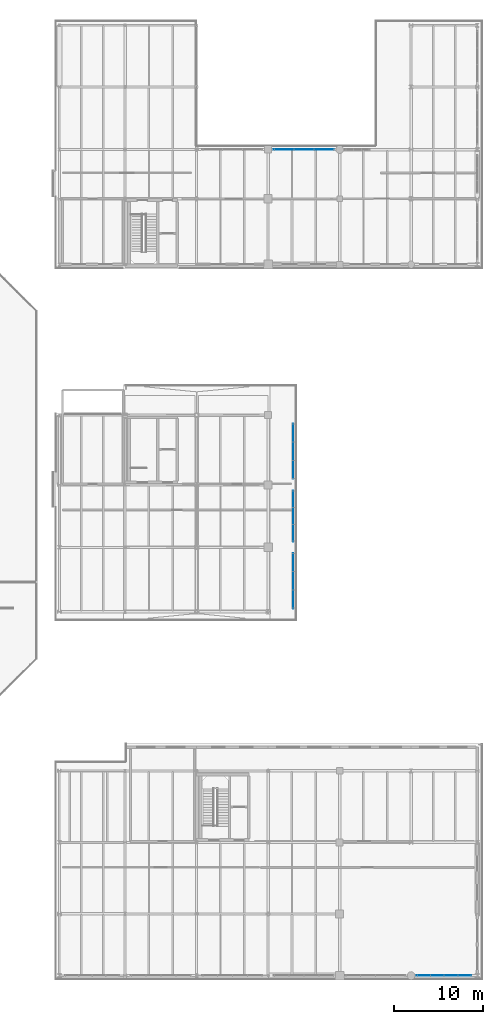
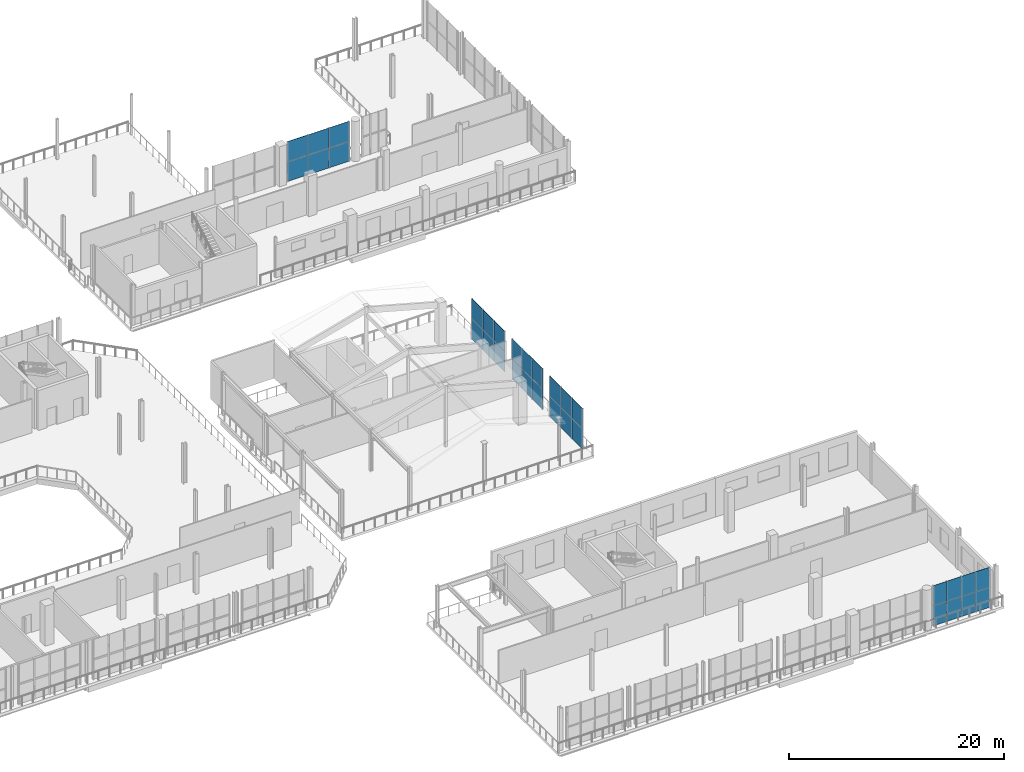
# One storey, part 46 of 70: 32 plates, 5 elements without a shape of their own.
"""IFC4 building model written with IfcOpenShell, lengths in metres."""

from ifc_helpers import new_model, si_unit, direction, frame, origin, origin_2d, place, context, subcontext, project, spatial, rectangle, extrude, material, layer, layer_set, type_object, element, aggregate, save


model = new_model("IFC4")

# Units and contexts
model_context = context("Model", 3, precision=1e-05, world=origin(), true_north=direction((0.0, 1.0)))
body_context = subcontext(model_context, "Body", "Model", "MODEL_VIEW")
ifc_project = project(units=[si_unit("LENGTHUNIT", "METRE"), si_unit("AREAUNIT", "SQUARE_METRE"), si_unit("VOLUMEUNIT", "CUBIC_METRE"), si_unit("PLANEANGLEUNIT", "RADIAN"), si_unit("MASSUNIT", "GRAM", prefix="KILO")], contexts=[model_context])

# Site, building, storey
site_placement = place(None, origin())
site = spatial("IfcSite", under=ifc_project, at=site_placement, CompositionType="ELEMENT")
building_placement = place(site_placement, origin())
building = spatial("IfcBuilding", under=site, at=building_placement, Name="Brisemont Oceanarium", CompositionType="ELEMENT")
storey_placement = place(building_placement, frame((0.0, 0.0, 10.199951171875)))
storey = spatial("IfcBuildingStorey", under=building, at=storey_placement, Name="L02", CompositionType="ELEMENT", Elevation=10.199951171875)

# Curtain wall, plates
ifc_material_1 = material(Name="Anodized Extruded Aluminum 6063-T6", Category="aluminium")
curtain_wall_type_1 = type_object("IfcCurtainWallType", Name="CW-GAL-61X43", PredefinedType="NOTDEFINED", material=ifc_material_1)
curtain_wall_1_placement = place(storey_placement, origin())
curtain_wall_1 = element("IfcCurtainWall", 1, at=curtain_wall_1_placement, inside=storey, type_object=curtain_wall_type_1, Name="CW-13 curtain wall CW-V5E-MC-L02-01", PredefinedType="NOTDEFINED")
ifc_material_2 = material(Name="Ceramic-Fritted Spandrel Glass", Category="glass")
ifc_layer_1 = layer(ifc_material_2, 0.030029296875)
ifc_layer_set_1 = layer_set([ifc_layer_1], Name="Ceramic-Fritted Spandrel Glass")
plate_type_1 = type_object("IfcPlateType", Name="PLT-CWP-S3", PredefinedType="CURTAIN_PANEL", material=ifc_layer_set_1)
plate_1_placement = place(storey_placement, frame((138.800048828125, 43.183349609375, 0.00146484375), z_axis=(0.0, 0.0, 1.0), x_axis=(0.0, 1.0, 0.0)))
plate_1 = element("IfcPlate", 2, at=plate_1_placement, type_object=plate_type_1, Name="CW-V5E-MC-L02-01 panel 1.1", PredefinedType="CURTAIN_PANEL", context=body_context, shape_type="SweptSolid", body=[
    extrude(rectangle(XDim=2.063720703125, YDim=0.030029296875, at=origin_2d()), origin(), (0.0, 0.0, 1.0), 2.297119140625),
])
plate_2_placement = place(storey_placement, frame((138.800048828125, 43.183349609375, 2.30126953125), z_axis=(0.0, 0.0, 1.0), x_axis=(0.0, 1.0, 0.0)))
plate_2 = element("IfcPlate", 3, at=plate_2_placement, type_object=plate_type_1, Name="CW-V5E-MC-L02-01 panel 1.2", PredefinedType="CURTAIN_PANEL", context=body_context, shape_type="SweptSolid", body=[
    extrude(rectangle(XDim=2.063720703125, YDim=0.030029296875, at=origin_2d()), origin(), (0.0, 0.0, 1.0), 2.297119140625),
])
plate_3_placement = place(storey_placement, frame((138.800048828125, 45.25, 0.00146484375), z_axis=(0.0, 0.0, 1.0), x_axis=(0.0, 1.0, 0.0)))
plate_3 = element("IfcPlate", 4, at=plate_3_placement, type_object=plate_type_1, Name="CW-V5E-MC-L02-01 panel 2.1", PredefinedType="CURTAIN_PANEL", context=body_context, shape_type="SweptSolid", body=[
    extrude(rectangle(XDim=2.063720703125, YDim=0.030029296875, at=origin_2d()), origin(), (0.0, 0.0, 1.0), 2.297119140625),
])
plate_4_placement = place(storey_placement, frame((138.800048828125, 45.25, 2.30126953125), z_axis=(0.0, 0.0, 1.0), x_axis=(0.0, 1.0, 0.0)))
plate_4 = element("IfcPlate", 5, at=plate_4_placement, type_object=plate_type_1, Name="CW-V5E-MC-L02-01 panel 2.2", PredefinedType="CURTAIN_PANEL", context=body_context, shape_type="SweptSolid", body=[
    extrude(rectangle(XDim=2.063720703125, YDim=0.030029296875, at=origin_2d()), origin(), (0.0, 0.0, 1.0), 2.297119140625),
])
plate_5_placement = place(storey_placement, frame((138.800048828125, 47.316650390625, 0.00146484375), z_axis=(0.0, 0.0, 1.0), x_axis=(0.0, 1.0, 0.0)))
plate_5 = element("IfcPlate", 6, at=plate_5_placement, type_object=plate_type_1, Name="CW-V5E-MC-L02-01 panel 3.1", PredefinedType="CURTAIN_PANEL", context=body_context, shape_type="SweptSolid", body=[
    extrude(rectangle(XDim=2.063720703125, YDim=0.030029296875, at=origin_2d()), origin(), (0.0, 0.0, 1.0), 2.297119140625),
])
plate_6_placement = place(storey_placement, frame((138.800048828125, 47.316650390625, 2.30126953125), z_axis=(0.0, 0.0, 1.0), x_axis=(0.0, 1.0, 0.0)))
plate_6 = element("IfcPlate", 7, at=plate_6_placement, type_object=plate_type_1, Name="CW-V5E-MC-L02-01 panel 3.2", PredefinedType="CURTAIN_PANEL", context=body_context, shape_type="SweptSolid", body=[
    extrude(rectangle(XDim=2.063720703125, YDim=0.030029296875, at=origin_2d()), origin(), (0.0, 0.0, 1.0), 2.297119140625),
])
aggregate(curtain_wall_1, [plate_1, plate_2, plate_3, plate_4, plate_5, plate_6])

curtain_wall_2_placement = place(storey_placement, origin())
curtain_wall_2 = element("IfcCurtainWall", 8, at=curtain_wall_2_placement, inside=storey, type_object=curtain_wall_type_1, Name="CW-13 curtain wall CW-V5E-MC-L02-02", PredefinedType="NOTDEFINED")
plate_7_placement = place(storey_placement, frame((138.800048828125, 50.60009765625, 0.00146484375), z_axis=(0.0, 0.0, 1.0), x_axis=(0.0, 1.0, 0.0)))
plate_7 = element("IfcPlate", 9, at=plate_7_placement, type_object=plate_type_1, Name="CW-V5E-MC-L02-02 panel 1.1", PredefinedType="CURTAIN_PANEL", context=body_context, shape_type="SweptSolid", body=[
    extrude(rectangle(XDim=1.89697265625, YDim=0.030029296875, at=origin_2d()), origin(), (0.0, 0.0, 1.0), 2.297119140625),
])
plate_8_placement = place(storey_placement, frame((138.800048828125, 50.60009765625, 2.30126953125), z_axis=(0.0, 0.0, 1.0), x_axis=(0.0, 1.0, 0.0)))
plate_8 = element("IfcPlate", 10, at=plate_8_placement, type_object=plate_type_1, Name="CW-V5E-MC-L02-02 panel 1.2", PredefinedType="CURTAIN_PANEL", context=body_context, shape_type="SweptSolid", body=[
    extrude(rectangle(XDim=1.89697265625, YDim=0.030029296875, at=origin_2d()), origin(), (0.0, 0.0, 1.0), 2.297119140625),
])
plate_9_placement = place(storey_placement, frame((138.800048828125, 52.5, 0.00146484375), z_axis=(0.0, 0.0, 1.0), x_axis=(0.0, 1.0, 0.0)))
plate_9 = element("IfcPlate", 11, at=plate_9_placement, type_object=plate_type_1, Name="CW-V5E-MC-L02-02 panel 2.1", PredefinedType="CURTAIN_PANEL", context=body_context, shape_type="SweptSolid", body=[
    extrude(rectangle(XDim=1.89697265625, YDim=0.030029296875, at=origin_2d()), origin(), (0.0, 0.0, 1.0), 2.297119140625),
])
plate_10_placement = place(storey_placement, frame((138.800048828125, 52.5, 2.30126953125), z_axis=(0.0, 0.0, 1.0), x_axis=(0.0, 1.0, 0.0)))
plate_10 = element("IfcPlate", 12, at=plate_10_placement, type_object=plate_type_1, Name="CW-V5E-MC-L02-02 panel 2.2", PredefinedType="CURTAIN_PANEL", context=body_context, shape_type="SweptSolid", body=[
    extrude(rectangle(XDim=1.89697265625, YDim=0.030029296875, at=origin_2d()), origin(), (0.0, 0.0, 1.0), 2.297119140625),
])
plate_11_placement = place(storey_placement, frame((138.800048828125, 54.39990234375, 0.00146484375), z_axis=(0.0, 0.0, 1.0), x_axis=(0.0, 1.0, 0.0)))
plate_11 = element("IfcPlate", 13, at=plate_11_placement, type_object=plate_type_1, Name="CW-V5E-MC-L02-02 panel 3.1", PredefinedType="CURTAIN_PANEL", context=body_context, shape_type="SweptSolid", body=[
    extrude(rectangle(XDim=1.89697265625, YDim=0.030029296875, at=origin_2d()), origin(), (0.0, 0.0, 1.0), 2.297119140625),
])
plate_12_placement = place(storey_placement, frame((138.800048828125, 54.39990234375, 2.30126953125), z_axis=(0.0, 0.0, 1.0), x_axis=(0.0, 1.0, 0.0)))
plate_12 = element("IfcPlate", 14, at=plate_12_placement, type_object=plate_type_1, Name="CW-V5E-MC-L02-02 panel 3.2", PredefinedType="CURTAIN_PANEL", context=body_context, shape_type="SweptSolid", body=[
    extrude(rectangle(XDim=1.89697265625, YDim=0.030029296875, at=origin_2d()), origin(), (0.0, 0.0, 1.0), 2.297119140625),
])
aggregate(curtain_wall_2, [plate_7, plate_8, plate_9, plate_10, plate_11, plate_12])

curtain_wall_3_placement = place(storey_placement, origin())
curtain_wall_3 = element("IfcCurtainWall", 15, at=curtain_wall_3_placement, inside=storey, type_object=curtain_wall_type_1, Name="CW-13 curtain wall CW-V5E-MC-L02-03", PredefinedType="NOTDEFINED")
plate_13_placement = place(storey_placement, frame((138.800048828125, 57.683349609375, 0.00146484375), z_axis=(0.0, 0.0, 1.0), x_axis=(0.0, 1.0, 0.0)))
plate_13 = element("IfcPlate", 16, at=plate_13_placement, type_object=plate_type_1, Name="CW-V5E-MC-L02-03 panel 1.1", PredefinedType="CURTAIN_PANEL", context=body_context, shape_type="SweptSolid", body=[
    extrude(rectangle(XDim=2.063720703125, YDim=0.030029296875, at=origin_2d()), origin(), (0.0, 0.0, 1.0), 2.297119140625),
])
plate_14_placement = place(storey_placement, frame((138.800048828125, 57.683349609375, 2.30126953125), z_axis=(0.0, 0.0, 1.0), x_axis=(0.0, 1.0, 0.0)))
plate_14 = element("IfcPlate", 17, at=plate_14_placement, type_object=plate_type_1, Name="CW-V5E-MC-L02-03 panel 1.2", PredefinedType="CURTAIN_PANEL", context=body_context, shape_type="SweptSolid", body=[
    extrude(rectangle(XDim=2.063720703125, YDim=0.030029296875, at=origin_2d()), origin(), (0.0, 0.0, 1.0), 2.297119140625),
])
plate_15_placement = place(storey_placement, frame((138.800048828125, 59.75, 0.00146484375), z_axis=(0.0, 0.0, 1.0), x_axis=(0.0, 1.0, 0.0)))
plate_15 = element("IfcPlate", 18, at=plate_15_placement, type_object=plate_type_1, Name="CW-V5E-MC-L02-03 panel 2.1", PredefinedType="CURTAIN_PANEL", context=body_context, shape_type="SweptSolid", body=[
    extrude(rectangle(XDim=2.063720703125, YDim=0.030029296875, at=origin_2d()), origin(), (0.0, 0.0, 1.0), 2.297119140625),
])
plate_16_placement = place(storey_placement, frame((138.800048828125, 59.75, 2.30126953125), z_axis=(0.0, 0.0, 1.0), x_axis=(0.0, 1.0, 0.0)))
plate_16 = element("IfcPlate", 19, at=plate_16_placement, type_object=plate_type_1, Name="CW-V5E-MC-L02-03 panel 2.2", PredefinedType="CURTAIN_PANEL", context=body_context, shape_type="SweptSolid", body=[
    extrude(rectangle(XDim=2.063720703125, YDim=0.030029296875, at=origin_2d()), origin(), (0.0, 0.0, 1.0), 2.297119140625),
])
plate_17_placement = place(storey_placement, frame((138.800048828125, 61.816650390625, 0.00146484375), z_axis=(0.0, 0.0, 1.0), x_axis=(0.0, 1.0, 0.0)))
plate_17 = element("IfcPlate", 20, at=plate_17_placement, type_object=plate_type_1, Name="CW-V5E-MC-L02-03 panel 3.1", PredefinedType="CURTAIN_PANEL", context=body_context, shape_type="SweptSolid", body=[
    extrude(rectangle(XDim=2.063720703125, YDim=0.030029296875, at=origin_2d()), origin(), (0.0, 0.0, 1.0), 2.297119140625),
])
plate_18_placement = place(storey_placement, frame((138.800048828125, 61.816650390625, 2.30126953125), z_axis=(0.0, 0.0, 1.0), x_axis=(0.0, 1.0, 0.0)))
plate_18 = element("IfcPlate", 21, at=plate_18_placement, type_object=plate_type_1, Name="CW-V5E-MC-L02-03 panel 3.2", PredefinedType="CURTAIN_PANEL", context=body_context, shape_type="SweptSolid", body=[
    extrude(rectangle(XDim=2.063720703125, YDim=0.030029296875, at=origin_2d()), origin(), (0.0, 0.0, 1.0), 2.297119140625),
])
aggregate(curtain_wall_3, [plate_13, plate_14, plate_15, plate_16, plate_17, plate_18])

ifc_material_3 = material(Name="Anodized Extruded Aluminum 6063-T6", Category="aluminium")
curtain_wall_type_2 = type_object("IfcCurtainWallType", Name="CW-RES-52X41", PredefinedType="NOTDEFINED", material=ifc_material_3)
curtain_wall_4_placement = place(storey_placement, origin())
curtain_wall_4 = element("IfcCurtainWall", 22, at=curtain_wall_4_placement, inside=storey, type_object=curtain_wall_type_2, Name="CW-18 curtain wall CW-V6-CL-L02-02", PredefinedType="NOTDEFINED")
ifc_material_4 = material(Name="Insulated Low-E Laminated Glass", Category="glass")
ifc_layer_2 = layer(ifc_material_4, 0.02587890625)
ifc_layer_set_2 = layer_set([ifc_layer_2], Name="Insulated Low-E Laminated Glass")
plate_type_2 = type_object("IfcPlateType", Name="PLT-CWP-V10", PredefinedType="CURTAIN_PANEL", material=ifc_layer_set_2)
plate_19_placement = place(storey_placement, frame((137.7666015625, 93.5, 0.00146484375), z_axis=(0.0, 0.0, 1.0), x_axis=(1.0, 0.0, 0.0)))
plate_19 = element("IfcPlate", 23, at=plate_19_placement, type_object=plate_type_2, Name="CW-V6-CL-L02-02 panel 1.1", PredefinedType="CURTAIN_PANEL", context=body_context, shape_type="SweptSolid", body=[
    extrude(rectangle(XDim=2.230224609375, YDim=0.02587890625, at=origin_2d()), origin(), (0.0, 0.0, 1.0), 2.26708984375),
])
plate_20_placement = place(storey_placement, frame((137.7666015625, 93.5, 2.271484375), z_axis=(0.0, 0.0, 1.0), x_axis=(1.0, 0.0, 0.0)))
plate_20 = element("IfcPlate", 24, at=plate_20_placement, type_object=plate_type_2, Name="CW-V6-CL-L02-02 panel 1.2", PredefinedType="CURTAIN_PANEL", context=body_context, shape_type="SweptSolid", body=[
    extrude(rectangle(XDim=2.230224609375, YDim=0.02587890625, at=origin_2d()), origin(), (0.0, 0.0, 1.0), 2.26708984375),
])
plate_21_placement = place(storey_placement, frame((140.0, 93.5, 0.00146484375), z_axis=(0.0, 0.0, 1.0), x_axis=(1.0, 0.0, 0.0)))
plate_21 = element("IfcPlate", 25, at=plate_21_placement, type_object=plate_type_2, Name="CW-V6-CL-L02-02 panel 2.1", PredefinedType="CURTAIN_PANEL", context=body_context, shape_type="SweptSolid", body=[
    extrude(rectangle(XDim=2.230224609375, YDim=0.02587890625, at=origin_2d()), origin(), (0.0, 0.0, 1.0), 2.26708984375),
])
plate_22_placement = place(storey_placement, frame((140.0, 93.5, 2.271484375), z_axis=(0.0, 0.0, 1.0), x_axis=(1.0, 0.0, 0.0)))
plate_22 = element("IfcPlate", 26, at=plate_22_placement, type_object=plate_type_2, Name="CW-V6-CL-L02-02 panel 2.2", PredefinedType="CURTAIN_PANEL", context=body_context, shape_type="SweptSolid", body=[
    extrude(rectangle(XDim=2.230224609375, YDim=0.02587890625, at=origin_2d()), origin(), (0.0, 0.0, 1.0), 2.26708984375),
])
plate_23_placement = place(storey_placement, frame((142.2333984375, 93.5, 0.00146484375), z_axis=(0.0, 0.0, 1.0), x_axis=(1.0, 0.0, 0.0)))
plate_23 = element("IfcPlate", 27, at=plate_23_placement, type_object=plate_type_2, Name="CW-V6-CL-L02-02 panel 3.1", PredefinedType="CURTAIN_PANEL", context=body_context, shape_type="SweptSolid", body=[
    extrude(rectangle(XDim=2.230224609375, YDim=0.02587890625, at=origin_2d()), origin(), (0.0, 0.0, 1.0), 2.26708984375),
])
plate_24_placement = place(storey_placement, frame((142.2333984375, 93.5, 2.271484375), z_axis=(0.0, 0.0, 1.0), x_axis=(1.0, 0.0, 0.0)))
plate_24 = element("IfcPlate", 28, at=plate_24_placement, type_object=plate_type_2, Name="CW-V6-CL-L02-02 panel 3.2", PredefinedType="CURTAIN_PANEL", context=body_context, shape_type="SweptSolid", body=[
    extrude(rectangle(XDim=2.230224609375, YDim=0.02587890625, at=origin_2d()), origin(), (0.0, 0.0, 1.0), 2.26708984375),
])
aggregate(curtain_wall_4, [plate_19, plate_20, plate_21, plate_22, plate_23, plate_24])

ifc_material_5 = material(Name="Anodized Extruded Aluminum 6063-T6", Category="aluminium")
curtain_wall_type_3 = type_object("IfcCurtainWallType", Name="CW-EDU-69X43", PredefinedType="NOTDEFINED", material=ifc_material_5)
curtain_wall_5_placement = place(storey_placement, origin())
curtain_wall_5 = element("IfcCurtainWall", 29, at=curtain_wall_5_placement, inside=storey, type_object=curtain_wall_type_3, Name="CW-09 curtain wall CW-V3-S-L02-06", PredefinedType="NOTDEFINED")
ifc_material_6 = material(Name="Insulated Low-E Laminated Glass", Category="glass")
ifc_layer_3 = layer(ifc_material_6, 0.02587890625)
ifc_layer_set_3 = layer_set([ifc_layer_3], Name="Insulated Low-E Laminated Glass")
plate_type_3 = type_object("IfcPlateType", Name="PLT-CWP-V9", PredefinedType="CURTAIN_PANEL", material=ifc_layer_set_3)
plate_25_placement = place(storey_placement, frame((153.41259765625, 1.10009765625, 0.00146484375), z_axis=(0.0, 0.0, 1.0), x_axis=(1.0, 0.0, 0.0)))
plate_25 = element("IfcPlate", 30, at=plate_25_placement, type_object=plate_type_3, Name="CW-V3-S-L02-06 panel 1.1", PredefinedType="CURTAIN_PANEL", context=body_context, shape_type="SweptSolid", body=[
    extrude(rectangle(XDim=1.52197265625, YDim=0.02587890625, at=origin_2d()), origin(), (0.0, 0.0, 1.0), 2.277099609375),
])
plate_26_placement = place(storey_placement, frame((153.41259765625, 1.10009765625, 2.28173828125), z_axis=(0.0, 0.0, 1.0), x_axis=(1.0, 0.0, 0.0)))
plate_26 = element("IfcPlate", 31, at=plate_26_placement, type_object=plate_type_3, Name="CW-V3-S-L02-06 panel 1.2", PredefinedType="CURTAIN_PANEL", context=body_context, shape_type="SweptSolid", body=[
    extrude(rectangle(XDim=1.52197265625, YDim=0.02587890625, at=origin_2d()), origin(), (0.0, 0.0, 1.0), 2.277099609375),
])
plate_27_placement = place(storey_placement, frame((154.9375, 1.10009765625, 0.00146484375), z_axis=(0.0, 0.0, 1.0), x_axis=(1.0, 0.0, 0.0)))
plate_27 = element("IfcPlate", 32, at=plate_27_placement, type_object=plate_type_3, Name="CW-V3-S-L02-06 panel 2.1", PredefinedType="CURTAIN_PANEL", context=body_context, shape_type="SweptSolid", body=[
    extrude(rectangle(XDim=1.52197265625, YDim=0.02587890625, at=origin_2d()), origin(), (0.0, 0.0, 1.0), 2.277099609375),
])
plate_28_placement = place(storey_placement, frame((154.9375, 1.10009765625, 2.28173828125), z_axis=(0.0, 0.0, 1.0), x_axis=(1.0, 0.0, 0.0)))
plate_28 = element("IfcPlate", 33, at=plate_28_placement, type_object=plate_type_3, Name="CW-V3-S-L02-06 panel 2.2", PredefinedType="CURTAIN_PANEL", context=body_context, shape_type="SweptSolid", body=[
    extrude(rectangle(XDim=1.52197265625, YDim=0.02587890625, at=origin_2d()), origin(), (0.0, 0.0, 1.0), 2.277099609375),
])
plate_29_placement = place(storey_placement, frame((156.46240234375, 1.10009765625, 0.00146484375), z_axis=(0.0, 0.0, 1.0), x_axis=(1.0, 0.0, 0.0)))
plate_29 = element("IfcPlate", 34, at=plate_29_placement, type_object=plate_type_3, Name="CW-V3-S-L02-06 panel 3.1", PredefinedType="CURTAIN_PANEL", context=body_context, shape_type="SweptSolid", body=[
    extrude(rectangle(XDim=1.52197265625, YDim=0.02587890625, at=origin_2d()), origin(), (0.0, 0.0, 1.0), 2.277099609375),
])
plate_30_placement = place(storey_placement, frame((156.46240234375, 1.10009765625, 2.28173828125), z_axis=(0.0, 0.0, 1.0), x_axis=(1.0, 0.0, 0.0)))
plate_30 = element("IfcPlate", 35, at=plate_30_placement, type_object=plate_type_3, Name="CW-V3-S-L02-06 panel 3.2", PredefinedType="CURTAIN_PANEL", context=body_context, shape_type="SweptSolid", body=[
    extrude(rectangle(XDim=1.52197265625, YDim=0.02587890625, at=origin_2d()), origin(), (0.0, 0.0, 1.0), 2.277099609375),
])
plate_31_placement = place(storey_placement, frame((157.987548828125, 1.10009765625, 0.00146484375), z_axis=(0.0, 0.0, 1.0), x_axis=(1.0, 0.0, 0.0)))
plate_31 = element("IfcPlate", 36, at=plate_31_placement, type_object=plate_type_3, Name="CW-V3-S-L02-06 panel 4.1", PredefinedType="CURTAIN_PANEL", context=body_context, shape_type="SweptSolid", body=[
    extrude(rectangle(XDim=1.52197265625, YDim=0.02587890625, at=origin_2d()), origin(), (0.0, 0.0, 1.0), 2.277099609375),
])
plate_32_placement = place(storey_placement, frame((157.987548828125, 1.10009765625, 2.28173828125), z_axis=(0.0, 0.0, 1.0), x_axis=(1.0, 0.0, 0.0)))
plate_32 = element("IfcPlate", 37, at=plate_32_placement, type_object=plate_type_3, Name="CW-V3-S-L02-06 panel 4.2", PredefinedType="CURTAIN_PANEL", context=body_context, shape_type="SweptSolid", body=[
    extrude(rectangle(XDim=1.52197265625, YDim=0.02587890625, at=origin_2d()), origin(), (0.0, 0.0, 1.0), 2.277099609375),
])
aggregate(curtain_wall_5, [plate_25, plate_26, plate_27, plate_28, plate_29, plate_30, plate_31, plate_32])

save(model, "model.ifc")
